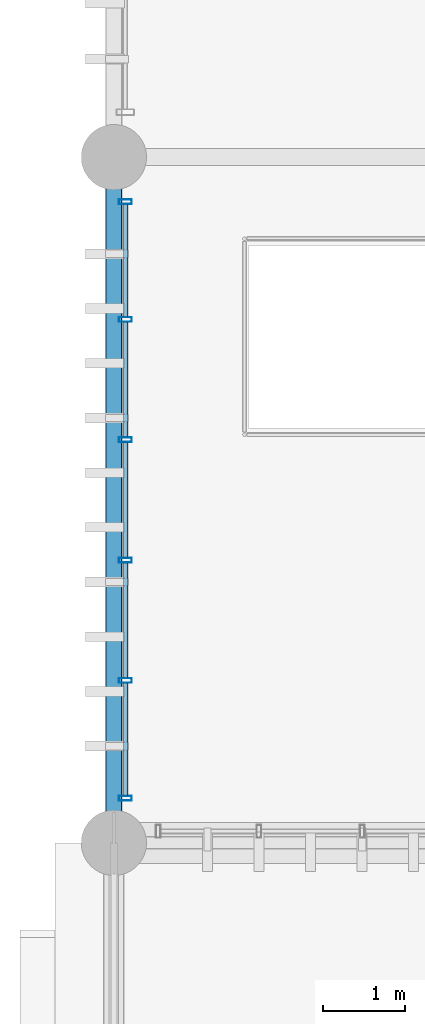
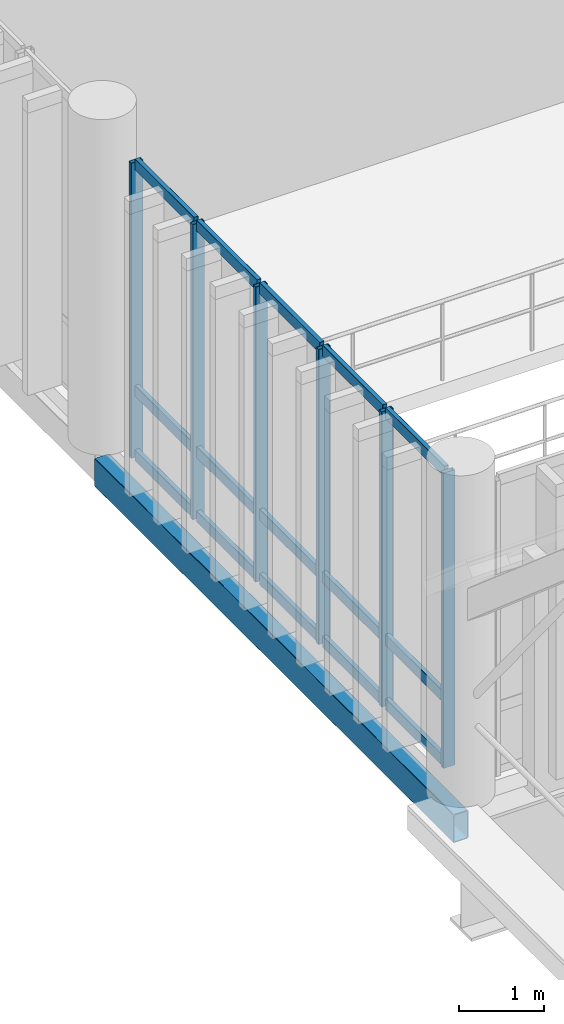
# One storey, part 16 of 109: 21 members, 1 beam, 1 element without a shape of its own.
"""IFC4 building model written with IfcOpenShell, lengths in metres."""

from ifc_helpers import new_model, si_unit, direction, frame, origin_with_axes, origin_2d_with_axis, place, context, subcontext, project, spatial, hollow_rectangle, extrude, material, material_profile, profile_set, type_object, element, aggregate, save


model = new_model("IFC4")

# Units and contexts
model_context = context("Model", 3, precision=1e-05, world=origin_with_axes(), true_north=direction((0.0, 1.0)))
body_context = subcontext(model_context, "Body", "Model", "MODEL_VIEW")
ifc_project = project(units=[si_unit("LENGTHUNIT", "METRE"), si_unit("AREAUNIT", "SQUARE_METRE"), si_unit("VOLUMEUNIT", "CUBIC_METRE"), si_unit("PLANEANGLEUNIT", "RADIAN"), si_unit("MASSUNIT", "GRAM", prefix="KILO"), si_unit("THERMODYNAMICTEMPERATUREUNIT", "KELVIN")], contexts=[model_context])

# Site, building, storey
site_placement = place(None, origin_with_axes())
site = spatial("IfcSite", under=ifc_project, at=site_placement, CompositionType="ELEMENT")
building_placement = place(site_placement, origin_with_axes())
building = spatial("IfcBuilding", under=site, at=building_placement, Name="Montbau Bow Law Courts", CompositionType="ELEMENT")
storey_placement = place(building_placement, frame((0.0, 0.0, 10.8), z_axis=(0.0, 0.0, 1.0), x_axis=(1.0, 0.0, 0.0)))
storey = spatial("IfcBuildingStorey", under=building, at=storey_placement, Name="L02", CompositionType="ELEMENT", Elevation=10.8)

# Beam
ifc_material_1 = material(Name="Steel CSA G40.21 Grade 350WT (350 MPa)", Category="steel")
ifc_material_profile_1 = material_profile(ifc_material_1, hollow_rectangle(XDim=0.203, YDim=0.406, WallThickness=0.0127, InnerFilletRadius=0.0254, OuterFilletRadius=0.0127, at=origin_2d_with_axis()), Name="HSS406X203X13", Category="Main", Priority=0)
ifc_profile_set_1 = profile_set([ifc_material_profile_1], Name="Steel CSA G40.21 Grade 350WT (350 MPa)")
beam_type = type_object("IfcBeamType", Name="B-SPN-01", PredefinedType="SPANDREL", material=ifc_profile_set_1)
beam_placement = place(None, frame((6.8, 30.6, 10.307), z_axis=(0.0, 1.0, 0.0), x_axis=(-1.0, 0.0, 0.0)))
element("IfcBeam", 1, at=beam_placement, inside=storey, type_object=beam_type, Name="SPN-L02-S0566:bm2_0569", PredefinedType="SPANDREL", context=body_context, shape_type="SweptSolid", body=[
    extrude(hollow_rectangle(XDim=0.203, YDim=0.406, WallThickness=0.0127, InnerFilletRadius=0.0254, OuterFilletRadius=0.0127, at=origin_2d_with_axis()), origin_with_axes(), (0.0, 0.0, 1.0), 8.4),
])

# Curtain wall, members
ifc_material_2 = material(Name="Thermally Broken Extruded Aluminium AA 6063-T6", Category="aluminium")
curtain_wall_type = type_object("IfcCurtainWallType", Name="CW-TRC-01", PredefinedType="NOTDEFINED", material=ifc_material_2)
curtain_wall_placement = place(None, frame((6.94, 31.115, 10.8), z_axis=(0.0, 0.0, 1.0), x_axis=(1.0, 0.0, 0.0)))
curtain_wall = element("IfcCurtainWall", 2, at=curtain_wall_placement, inside=storey, type_object=curtain_wall_type, Name="CW-L02-044:cw_0044", PredefinedType="NOTDEFINED")
ifc_material_profile_2 = material_profile(ifc_material_2, hollow_rectangle(XDim=0.06, YDim=0.16, WallThickness=0.004, InnerFilletRadius=0.008, OuterFilletRadius=0.004, at=origin_2d_with_axis()), Name="CWM-160X60", Category="Main", Priority=0)
ifc_profile_set_2 = profile_set([ifc_material_profile_2], Name="Thermally Broken Extruded Aluminium AA 6063-T6")
member_type_1 = type_object("IfcMemberType", Name="M-MUL-03", PredefinedType="MULLION", material=ifc_profile_set_2)
member_1_placement = place(None, frame((6.94, 31.145, 10.8), z_axis=(0.0, 0.0, 1.0), x_axis=(0.0, 1.0, 0.0)))
member_1 = element("IfcMember", 3, at=member_1_placement, type_object=member_type_1, Name="CW-L02-044-M01:cw_0044_M01", PredefinedType="MULLION", context=body_context, shape_type="SweptSolid", body=[
    extrude(hollow_rectangle(XDim=0.06, YDim=0.16, WallThickness=0.004, InnerFilletRadius=0.008, OuterFilletRadius=0.004, at=origin_2d_with_axis()), origin_with_axes(), (0.0, 0.0, 1.0), 4.22),
])
member_2_placement = place(None, frame((6.94, 32.589, 10.8), z_axis=(0.0, 0.0, 1.0), x_axis=(0.0, 1.0, 0.0)))
member_2 = element("IfcMember", 4, at=member_2_placement, type_object=member_type_1, Name="CW-L02-044-M02:cw_0044_M02", PredefinedType="MULLION", context=body_context, shape_type="SweptSolid", body=[
    extrude(hollow_rectangle(XDim=0.06, YDim=0.16, WallThickness=0.004, InnerFilletRadius=0.008, OuterFilletRadius=0.004, at=origin_2d_with_axis()), origin_with_axes(), (0.0, 0.0, 1.0), 4.22),
])
member_3_placement = place(None, frame((6.94, 34.063, 10.8), z_axis=(0.0, 0.0, 1.0), x_axis=(0.0, 1.0, 0.0)))
member_3 = element("IfcMember", 5, at=member_3_placement, type_object=member_type_1, Name="CW-L02-044-M03:cw_0044_M03", PredefinedType="MULLION", context=body_context, shape_type="SweptSolid", body=[
    extrude(hollow_rectangle(XDim=0.06, YDim=0.16, WallThickness=0.004, InnerFilletRadius=0.008, OuterFilletRadius=0.004, at=origin_2d_with_axis()), origin_with_axes(), (0.0, 0.0, 1.0), 4.22),
])
member_4_placement = place(None, frame((6.94, 35.537, 10.8), z_axis=(0.0, 0.0, 1.0), x_axis=(0.0, 1.0, 0.0)))
member_4 = element("IfcMember", 6, at=member_4_placement, type_object=member_type_1, Name="CW-L02-044-M04:cw_0044_M04", PredefinedType="MULLION", context=body_context, shape_type="SweptSolid", body=[
    extrude(hollow_rectangle(XDim=0.06, YDim=0.16, WallThickness=0.004, InnerFilletRadius=0.008, OuterFilletRadius=0.004, at=origin_2d_with_axis()), origin_with_axes(), (0.0, 0.0, 1.0), 4.22),
])
member_5_placement = place(None, frame((6.94, 37.011, 10.8), z_axis=(0.0, 0.0, 1.0), x_axis=(0.0, 1.0, 0.0)))
member_5 = element("IfcMember", 7, at=member_5_placement, type_object=member_type_1, Name="CW-L02-044-M05:cw_0044_M05", PredefinedType="MULLION", context=body_context, shape_type="SweptSolid", body=[
    extrude(hollow_rectangle(XDim=0.06, YDim=0.16, WallThickness=0.004, InnerFilletRadius=0.008, OuterFilletRadius=0.004, at=origin_2d_with_axis()), origin_with_axes(), (0.0, 0.0, 1.0), 4.22),
])
member_6_placement = place(None, frame((6.94, 38.455, 10.8), z_axis=(0.0, 0.0, 1.0), x_axis=(0.0, 1.0, 0.0)))
member_6 = element("IfcMember", 8, at=member_6_placement, type_object=member_type_1, Name="CW-L02-044-M06:cw_0044_M06", PredefinedType="MULLION", context=body_context, shape_type="SweptSolid", body=[
    extrude(hollow_rectangle(XDim=0.06, YDim=0.16, WallThickness=0.004, InnerFilletRadius=0.008, OuterFilletRadius=0.004, at=origin_2d_with_axis()), origin_with_axes(), (0.0, 0.0, 1.0), 4.22),
])
ifc_material_profile_3 = material_profile(ifc_material_2, hollow_rectangle(XDim=0.06, YDim=0.16, WallThickness=0.004, InnerFilletRadius=0.008, OuterFilletRadius=0.004, at=origin_2d_with_axis()), Name="CWT-160X60", Category="Main", Priority=0)
ifc_profile_set_3 = profile_set([ifc_material_profile_3], Name="Thermally Broken Extruded Aluminium AA 6063-T6")
member_type_2 = type_object("IfcMemberType", Name="M-TRN-01", PredefinedType="USERDEFINED", material=ifc_profile_set_3)
member_7_placement = place(None, frame((6.94, 31.177, 10.83), z_axis=(0.0, 1.0, 0.0), x_axis=(-1.0, 0.0, 0.0)))
member_7 = element("IfcMember", 9, at=member_7_placement, type_object=member_type_2, Name="CW-L02-044-T01-1:cw_0044_T01_1", ObjectType="TRANSOM", PredefinedType="USERDEFINED", context=body_context, shape_type="SweptSolid", body=[
    extrude(hollow_rectangle(XDim=0.06, YDim=0.16, WallThickness=0.004, InnerFilletRadius=0.008, OuterFilletRadius=0.004, at=origin_2d_with_axis()), origin_with_axes(), (0.0, 0.0, 1.0), 1.38),
])
member_8_placement = place(None, frame((6.94, 31.177, 11.75), z_axis=(0.0, 1.0, 0.0), x_axis=(-1.0, 0.0, 0.0)))
member_8 = element("IfcMember", 10, at=member_8_placement, type_object=member_type_2, Name="CW-L02-044-T01-2:cw_0044_T01_2", ObjectType="TRANSOM", PredefinedType="USERDEFINED", context=body_context, shape_type="SweptSolid", body=[
    extrude(hollow_rectangle(XDim=0.06, YDim=0.16, WallThickness=0.004, InnerFilletRadius=0.008, OuterFilletRadius=0.004, at=origin_2d_with_axis()), origin_with_axes(), (0.0, 0.0, 1.0), 1.38),
])
member_9_placement = place(None, frame((6.94, 31.177, 14.99), z_axis=(0.0, 1.0, 0.0), x_axis=(-1.0, 0.0, 0.0)))
member_9 = element("IfcMember", 11, at=member_9_placement, type_object=member_type_2, Name="CW-L02-044-T01-3:cw_0044_T01_3", ObjectType="TRANSOM", PredefinedType="USERDEFINED", context=body_context, shape_type="SweptSolid", body=[
    extrude(hollow_rectangle(XDim=0.06, YDim=0.16, WallThickness=0.004, InnerFilletRadius=0.008, OuterFilletRadius=0.004, at=origin_2d_with_axis()), origin_with_axes(), (0.0, 0.0, 1.0), 1.38),
])
member_10_placement = place(None, frame((6.94, 32.621, 10.83), z_axis=(0.0, 1.0, 0.0), x_axis=(-1.0, 0.0, 0.0)))
member_10 = element("IfcMember", 12, at=member_10_placement, type_object=member_type_2, Name="CW-L02-044-T02-1:cw_0044_T02_1", ObjectType="TRANSOM", PredefinedType="USERDEFINED", context=body_context, shape_type="SweptSolid", body=[
    extrude(hollow_rectangle(XDim=0.06, YDim=0.16, WallThickness=0.004, InnerFilletRadius=0.008, OuterFilletRadius=0.004, at=origin_2d_with_axis()), origin_with_axes(), (0.0, 0.0, 1.0), 1.41),
])
member_11_placement = place(None, frame((6.94, 32.621, 11.75), z_axis=(0.0, 1.0, 0.0), x_axis=(-1.0, 0.0, 0.0)))
member_11 = element("IfcMember", 13, at=member_11_placement, type_object=member_type_2, Name="CW-L02-044-T02-2:cw_0044_T02_2", ObjectType="TRANSOM", PredefinedType="USERDEFINED", context=body_context, shape_type="SweptSolid", body=[
    extrude(hollow_rectangle(XDim=0.06, YDim=0.16, WallThickness=0.004, InnerFilletRadius=0.008, OuterFilletRadius=0.004, at=origin_2d_with_axis()), origin_with_axes(), (0.0, 0.0, 1.0), 1.41),
])
member_12_placement = place(None, frame((6.94, 32.621, 14.99), z_axis=(0.0, 1.0, 0.0), x_axis=(-1.0, 0.0, 0.0)))
member_12 = element("IfcMember", 14, at=member_12_placement, type_object=member_type_2, Name="CW-L02-044-T02-3:cw_0044_T02_3", ObjectType="TRANSOM", PredefinedType="USERDEFINED", context=body_context, shape_type="SweptSolid", body=[
    extrude(hollow_rectangle(XDim=0.06, YDim=0.16, WallThickness=0.004, InnerFilletRadius=0.008, OuterFilletRadius=0.004, at=origin_2d_with_axis()), origin_with_axes(), (0.0, 0.0, 1.0), 1.41),
])
member_13_placement = place(None, frame((6.94, 34.095, 10.83), z_axis=(0.0, 1.0, 0.0), x_axis=(-1.0, 0.0, 0.0)))
member_13 = element("IfcMember", 15, at=member_13_placement, type_object=member_type_2, Name="CW-L02-044-T03-1:cw_0044_T03_1", ObjectType="TRANSOM", PredefinedType="USERDEFINED", context=body_context, shape_type="SweptSolid", body=[
    extrude(hollow_rectangle(XDim=0.06, YDim=0.16, WallThickness=0.004, InnerFilletRadius=0.008, OuterFilletRadius=0.004, at=origin_2d_with_axis()), origin_with_axes(), (0.0, 0.0, 1.0), 1.41),
])
member_14_placement = place(None, frame((6.94, 34.095, 11.75), z_axis=(0.0, 1.0, 0.0), x_axis=(-1.0, 0.0, 0.0)))
member_14 = element("IfcMember", 16, at=member_14_placement, type_object=member_type_2, Name="CW-L02-044-T03-2:cw_0044_T03_2", ObjectType="TRANSOM", PredefinedType="USERDEFINED", context=body_context, shape_type="SweptSolid", body=[
    extrude(hollow_rectangle(XDim=0.06, YDim=0.16, WallThickness=0.004, InnerFilletRadius=0.008, OuterFilletRadius=0.004, at=origin_2d_with_axis()), origin_with_axes(), (0.0, 0.0, 1.0), 1.41),
])
member_15_placement = place(None, frame((6.94, 34.095, 14.99), z_axis=(0.0, 1.0, 0.0), x_axis=(-1.0, 0.0, 0.0)))
member_15 = element("IfcMember", 17, at=member_15_placement, type_object=member_type_2, Name="CW-L02-044-T03-3:cw_0044_T03_3", ObjectType="TRANSOM", PredefinedType="USERDEFINED", context=body_context, shape_type="SweptSolid", body=[
    extrude(hollow_rectangle(XDim=0.06, YDim=0.16, WallThickness=0.004, InnerFilletRadius=0.008, OuterFilletRadius=0.004, at=origin_2d_with_axis()), origin_with_axes(), (0.0, 0.0, 1.0), 1.41),
])
member_16_placement = place(None, frame((6.94, 35.569, 10.83), z_axis=(0.0, 1.0, 0.0), x_axis=(-1.0, 0.0, 0.0)))
member_16 = element("IfcMember", 18, at=member_16_placement, type_object=member_type_2, Name="CW-L02-044-T04-1:cw_0044_T04_1", ObjectType="TRANSOM", PredefinedType="USERDEFINED", context=body_context, shape_type="SweptSolid", body=[
    extrude(hollow_rectangle(XDim=0.06, YDim=0.16, WallThickness=0.004, InnerFilletRadius=0.008, OuterFilletRadius=0.004, at=origin_2d_with_axis()), origin_with_axes(), (0.0, 0.0, 1.0), 1.41),
])
member_17_placement = place(None, frame((6.94, 35.569, 11.75), z_axis=(0.0, 1.0, 0.0), x_axis=(-1.0, 0.0, 0.0)))
member_17 = element("IfcMember", 19, at=member_17_placement, type_object=member_type_2, Name="CW-L02-044-T04-2:cw_0044_T04_2", ObjectType="TRANSOM", PredefinedType="USERDEFINED", context=body_context, shape_type="SweptSolid", body=[
    extrude(hollow_rectangle(XDim=0.06, YDim=0.16, WallThickness=0.004, InnerFilletRadius=0.008, OuterFilletRadius=0.004, at=origin_2d_with_axis()), origin_with_axes(), (0.0, 0.0, 1.0), 1.41),
])
member_18_placement = place(None, frame((6.94, 35.569, 14.99), z_axis=(0.0, 1.0, 0.0), x_axis=(-1.0, 0.0, 0.0)))
member_18 = element("IfcMember", 20, at=member_18_placement, type_object=member_type_2, Name="CW-L02-044-T04-3:cw_0044_T04_3", ObjectType="TRANSOM", PredefinedType="USERDEFINED", context=body_context, shape_type="SweptSolid", body=[
    extrude(hollow_rectangle(XDim=0.06, YDim=0.16, WallThickness=0.004, InnerFilletRadius=0.008, OuterFilletRadius=0.004, at=origin_2d_with_axis()), origin_with_axes(), (0.0, 0.0, 1.0), 1.41),
])
member_19_placement = place(None, frame((6.94, 37.043, 10.83), z_axis=(0.0, 1.0, 0.0), x_axis=(-1.0, 0.0, 0.0)))
member_19 = element("IfcMember", 21, at=member_19_placement, type_object=member_type_2, Name="CW-L02-044-T05-1:cw_0044_T05_1", ObjectType="TRANSOM", PredefinedType="USERDEFINED", context=body_context, shape_type="SweptSolid", body=[
    extrude(hollow_rectangle(XDim=0.06, YDim=0.16, WallThickness=0.004, InnerFilletRadius=0.008, OuterFilletRadius=0.004, at=origin_2d_with_axis()), origin_with_axes(), (0.0, 0.0, 1.0), 1.38),
])
member_20_placement = place(None, frame((6.94, 37.043, 11.75), z_axis=(0.0, 1.0, 0.0), x_axis=(-1.0, 0.0, 0.0)))
member_20 = element("IfcMember", 22, at=member_20_placement, type_object=member_type_2, Name="CW-L02-044-T05-2:cw_0044_T05_2", ObjectType="TRANSOM", PredefinedType="USERDEFINED", context=body_context, shape_type="SweptSolid", body=[
    extrude(hollow_rectangle(XDim=0.06, YDim=0.16, WallThickness=0.004, InnerFilletRadius=0.008, OuterFilletRadius=0.004, at=origin_2d_with_axis()), origin_with_axes(), (0.0, 0.0, 1.0), 1.38),
])
member_21_placement = place(None, frame((6.94, 37.043, 14.99), z_axis=(0.0, 1.0, 0.0), x_axis=(-1.0, 0.0, 0.0)))
member_21 = element("IfcMember", 23, at=member_21_placement, type_object=member_type_2, Name="CW-L02-044-T05-3:cw_0044_T05_3", ObjectType="TRANSOM", PredefinedType="USERDEFINED", context=body_context, shape_type="SweptSolid", body=[
    extrude(hollow_rectangle(XDim=0.06, YDim=0.16, WallThickness=0.004, InnerFilletRadius=0.008, OuterFilletRadius=0.004, at=origin_2d_with_axis()), origin_with_axes(), (0.0, 0.0, 1.0), 1.38),
])
aggregate(curtain_wall, [member_1, member_2, member_3, member_4, member_5, member_6, member_7, member_8, member_9, member_10, member_11, member_12, member_13, member_14, member_15, member_16, member_17, member_18, member_19, member_20, member_21])

save(model, "model.ifc")
